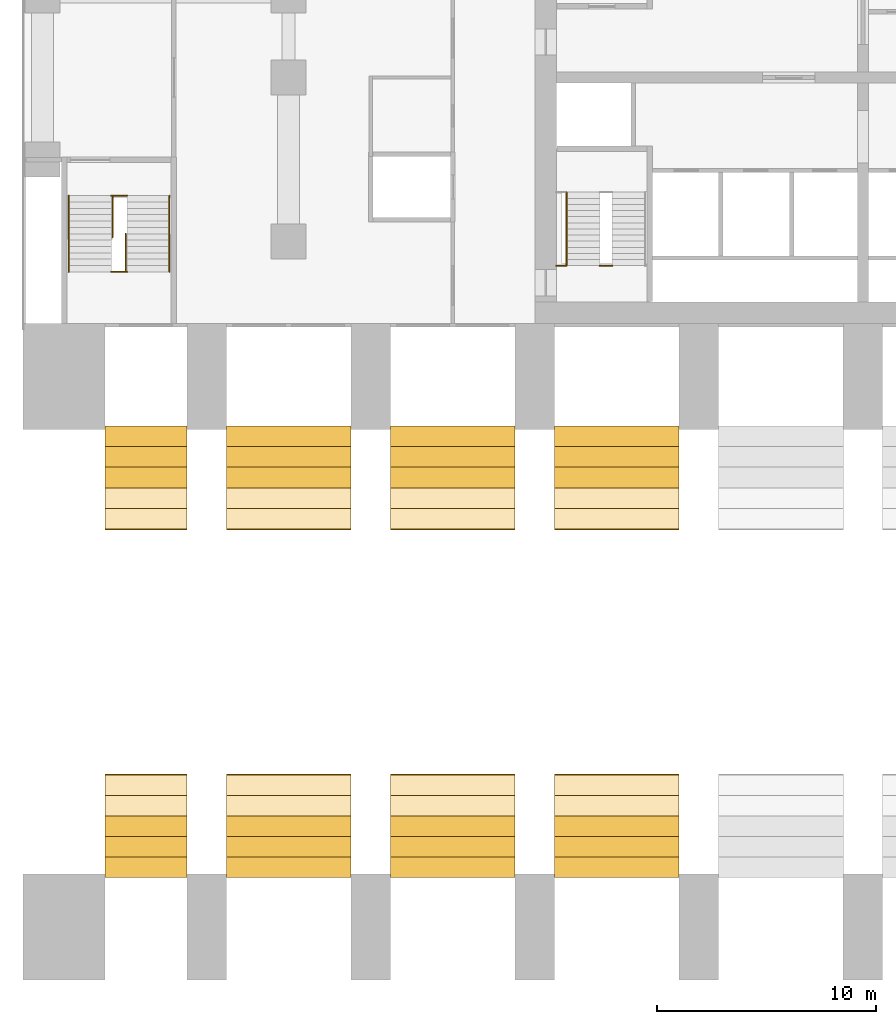
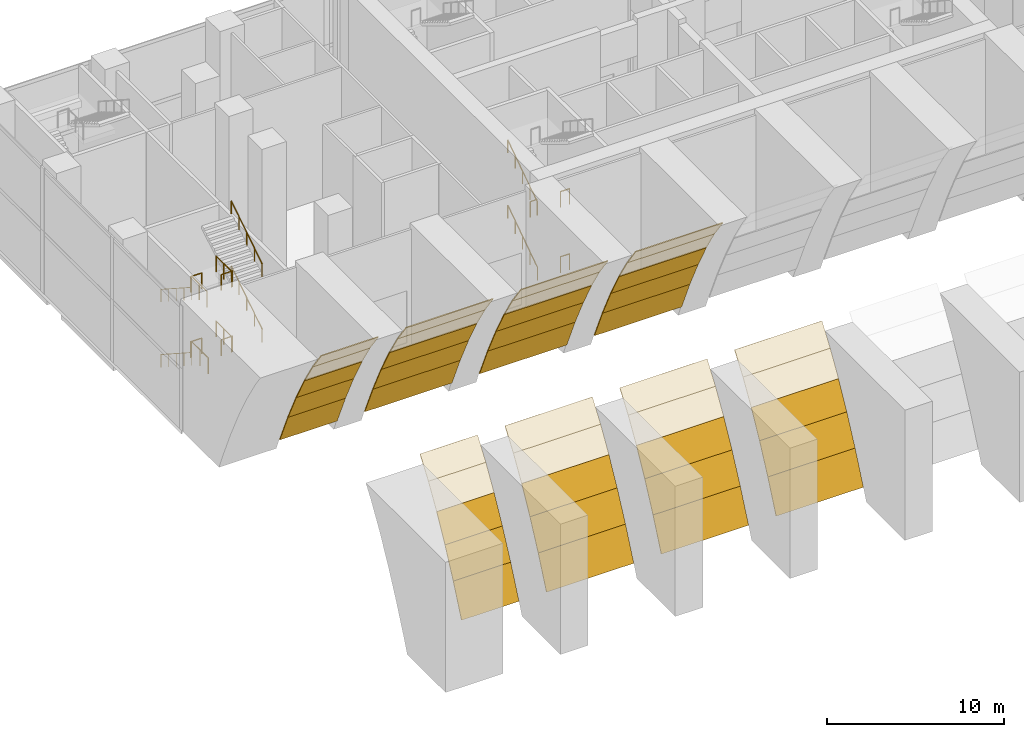
# One storey, part 11 of 14: 40 coverings, 17 railings.
"""IFC4 building model written with IfcOpenShell, lengths in metres."""

import ifcopenshell
import ifcopenshell.guid

model = None  # the IFC model being written
_history = None  # IfcOwnerHistory: only IFC2X3 demands one
_inside = {}  # id of a spatial element -> (the spatial element, [elements in it])
_under = {}  # id of a project, library or spatial element -> (it, [spatial elements below it])
_declared = {}  # id of a project -> (the project, [libraries it declares])
_typed = {}  # id of a type object -> (the type object, [elements of that type])
_made_of = {}  # id of a material, layer set ... -> (it, [elements and type objects made of it])


def new_model(schema):
    """Start an empty IFC model of exactly this schema.

    Asked for "IFC4X3", IfcOpenShell would pick the latest addendum, in which some entities
    have other attributes; the version numbers below select the first issue.
    IFC2X3 requires an IfcOwnerHistory on every rooted entity: one is made here for all.
    """
    global model, _history
    if schema == "IFC4X3":
        model = ifcopenshell.file(schema_version=(4, 3, 0, 0))
    else:
        model = ifcopenshell.file(schema=schema)
    _inside.clear()
    _under.clear()
    _declared.clear()
    _typed.clear()
    _made_of.clear()
    _history = None
    if model.schema == "IFC2X3":
        org = make("IfcOrganization", Name="unknown")
        user = make(
            "IfcPersonAndOrganization",
            ThePerson=make("IfcPerson", FamilyName="unknown"),
            TheOrganization=org,
        )
        app = make(
            "IfcApplication",
            ApplicationDeveloper=org,
            Version="unknown",
            ApplicationFullName="unknown",
            ApplicationIdentifier="unknown",
        )
        _history = make(
            "IfcOwnerHistory",
            OwningUser=user,
            OwningApplication=app,
            ChangeAction="ADDED",
            CreationDate=0,
        )
    return model


def make(cls, **values):
    """One entity of the class cls with the attributes given. An attribute that is None is left unset."""
    return model.create_entity(
        cls, **{name: value for name, value in values.items() if value is not None}
    )


def rooted(cls, **values):
    """An entity with a GlobalId (a new one), such as an element, a storey or a relation."""
    return make(cls, GlobalId=ifcopenshell.guid.new(), OwnerHistory=_history, **values)


def si_unit(unit_type, name, prefix=None):
    """IfcSIUnit, for example si_unit("LENGTHUNIT", "METRE", prefix="MILLI")."""
    return make("IfcSIUnit", UnitType=unit_type, Prefix=prefix, Name=name)


def assignment(units):
    """IfcUnitAssignment: the units of a project."""
    return None if units is None else make("IfcUnitAssignment", Units=units)


def point(xyz):
    """IfcCartesianPoint."""
    return None if xyz is None else make("IfcCartesianPoint", Coordinates=xyz)


def direction(xyz):
    """IfcDirection."""
    return None if xyz is None else make("IfcDirection", DirectionRatios=xyz)


def frame(location, z_axis=None, x_axis=None):
    """IfcAxis2Placement3D, a coordinate frame: its origin and axes. An axis left out is left unset."""
    return make(
        "IfcAxis2Placement3D",
        Location=point(location),
        Axis=direction(z_axis),
        RefDirection=direction(x_axis),
    )


def frame_2d(location, x_axis=None):
    """IfcAxis2Placement2D, a coordinate frame in the plane: its origin and x axis."""
    return make(
        "IfcAxis2Placement2D", Location=point(location), RefDirection=direction(x_axis)
    )


def origin():
    """The frame at (0, 0, 0) with its axes left unset."""
    return frame((0.0, 0.0, 0.0))


def origin_2d():
    """The frame at (0, 0) in the plane with its x axis left unset."""
    return frame_2d((0.0, 0.0))


def place(relative_to, where):
    """IfcLocalPlacement: puts the frame where relative to a parent placement (None: the world)."""
    return make(
        "IfcLocalPlacement", PlacementRelTo=relative_to, RelativePlacement=where
    )


def context(
    kind, dimensions, precision=None, world=None, true_north=None, identifier=None
):
    """IfcGeometricRepresentationContext, for example the 3D "Model" context."""
    return make(
        "IfcGeometricRepresentationContext",
        ContextIdentifier=identifier,
        ContextType=kind,
        CoordinateSpaceDimension=dimensions,
        Precision=precision,
        WorldCoordinateSystem=world,
        TrueNorth=true_north,
    )


def subcontext(parent, identifier, kind, view, scale=None):
    """IfcGeometricRepresentationSubContext, for example "Body" below "Model"."""
    return make(
        "IfcGeometricRepresentationSubContext",
        ContextIdentifier=identifier,
        ContextType=kind,
        ParentContext=parent,
        TargetScale=scale,
        TargetView=view,
    )


def project(units=None, contexts=None):
    """IfcProject with its units and contexts."""
    return rooted(
        "IfcProject",
        Name="project",
        RepresentationContexts=contexts,
        UnitsInContext=assignment(units),
    )


def spatial(cls, under=None, at=None, **own):
    """A site, building, storey or space (cls), placed at a placement, below another one or the project."""
    s = rooted(cls, ObjectPlacement=at, **own)
    if under is not None:
        _under.setdefault(under.id(), (under, []))[1].append(s)
    return s


def polyline(points):
    """IfcPolyline through the points."""
    return make("IfcPolyline", Points=[point(p) for p in points])


def profile(cls, at=None, kind="AREA", **sizes):
    """A parametric profile (cls). Its sizes go by their IFC names, for example OverallWidth=200.0."""
    return make(cls, ProfileType=kind, Position=at, **sizes)


def circle(**sizes):
    """IfcCircleProfileDef."""
    return profile("IfcCircleProfileDef", **sizes)


def outline(outer, holes=None, kind="AREA"):
    """IfcArbitraryClosedProfileDef: a profile drawn as a closed curve; with holes, ...WithVoids."""
    if holes is None:
        return make("IfcArbitraryClosedProfileDef", ProfileType=kind, OuterCurve=outer)
    return make(
        "IfcArbitraryProfileDefWithVoids",
        ProfileType=kind,
        OuterCurve=outer,
        InnerCurves=holes,
    )


def extrude(swept, where, along, depth):
    """IfcExtrudedAreaSolid: the profile swept, set in the frame where, extruded along a direction by depth."""
    return make(
        "IfcExtrudedAreaSolid",
        SweptArea=swept,
        Position=where,
        ExtrudedDirection=direction(along),
        Depth=depth,
    )


def shape(context_of_items, identifier, shape_type, items):
    """IfcShapeRepresentation: the items that make up one representation, for example the "Body"."""
    return make(
        "IfcShapeRepresentation",
        ContextOfItems=context_of_items,
        RepresentationIdentifier=identifier,
        RepresentationType=shape_type,
        Items=items,
    )


def material(Name=None, Category=None):
    """IfcMaterial."""
    return make("IfcMaterial", Name=Name, Category=Category)


def layer(
    of_material, thickness, ventilated=None, Name=None, Category=None, Priority=None
):
    """IfcMaterialLayer: one layer of a wall or slab, of a material (None: an air gap)."""
    return make(
        "IfcMaterialLayer",
        Material=of_material,
        LayerThickness=thickness,
        IsVentilated=ventilated,
        Name=Name,
        Category=Category,
        Priority=Priority,
    )


def layer_set(layers, Name=None):
    """IfcMaterialLayerSet."""
    return make("IfcMaterialLayerSet", MaterialLayers=layers, LayerSetName=Name)


def made_of(thing, what):
    """Note that an element or type object is made of a material, layer set ...; save() writes the relation."""
    if what is not None:
        _made_of.setdefault(what.id(), (what, []))[1].append(thing)
    return thing


def type_object(cls, material=None, **own):
    """A type object (cls), such as IfcWallType, which elements share."""
    return made_of(rooted(cls, **own), material)


def element(
    cls,
    number,
    at=None,
    inside=None,
    cuts=None,
    type_object=None,
    material=None,
    context=None,
    identifier="Body",
    shape_type=None,
    held_by="IfcProductDefinitionShape",
    body=None,
    shapes=None,
    **own,
):
    """One element of the class cls, such as IfcWall. Its Tag is "e" and its number.

    at: its placement. inside: the storey or other place that contains it. cuts: it is an
    opening in that element (IfcRelVoidsElement). A single representation is given by context,
    identifier, shape_type and body (its items); several are given by shapes. held_by: the class
    of the entity that holds the representations. save() writes the other relations.
    """
    e = rooted(cls, Tag="e%d" % number, ObjectPlacement=at, **own)
    if body is not None:
        shapes = [shape(context, identifier, shape_type, body)]
    if shapes is not None:
        e.Representation = make(held_by, Representations=shapes)
    if inside is not None:
        _inside.setdefault(inside.id(), (inside, []))[1].append(e)
    if cuts is not None:
        rooted(
            "IfcRelVoidsElement", RelatingBuildingElement=cuts, RelatedOpeningElement=e
        )
    if type_object is not None:
        _typed.setdefault(type_object.id(), (type_object, []))[1].append(e)
    return made_of(e, material)


def aggregate(whole, parts):
    """IfcRelAggregates: a whole, such as a stair, and the parts it consists of."""
    return rooted("IfcRelAggregates", RelatingObject=whole, RelatedObjects=parts)


def save(model, path):
    """Write the relations noted so far, then the file.

    IfcRelAggregates (storeys below a building ...), IfcRelContainedInSpatialStructure (elements
    in a storey), IfcRelDefinesByType, IfcRelAssociatesMaterial and IfcRelDeclares: one each for
    every whole, place, type object, material and project.
    """
    for whole, parts in _under.values():
        aggregate(whole, parts)
    for where, things in _inside.values():
        rooted(
            "IfcRelContainedInSpatialStructure",
            RelatedElements=things,
            RelatingStructure=where,
        )
    for kind, things in _typed.values():
        rooted("IfcRelDefinesByType", RelatedObjects=things, RelatingType=kind)
    for what, things in _made_of.values():
        rooted("IfcRelAssociatesMaterial", RelatedObjects=things, RelatingMaterial=what)
    for by, libraries in _declared.values():
        rooted("IfcRelDeclares", RelatingContext=by, RelatedDefinitions=libraries)
    model.write(path)


model = new_model("IFC4")

# Units and contexts
model_context = context("Model", 3, precision=1e-05, world=origin(), true_north=direction((0.0, 1.0)))
body_context = subcontext(model_context, "Body", "Model", "MODEL_VIEW")
ifc_project = project(units=[si_unit("LENGTHUNIT", "METRE"), si_unit("AREAUNIT", "SQUARE_METRE"), si_unit("VOLUMEUNIT", "CUBIC_METRE"), si_unit("PLANEANGLEUNIT", "RADIAN"), si_unit("MASSUNIT", "GRAM", prefix="KILO")], contexts=[model_context])

# Site, building, storey
site_placement = place(None, origin())
site = spatial("IfcSite", under=ifc_project, at=site_placement, CompositionType="ELEMENT")
building_placement = place(site_placement, origin())
building = spatial("IfcBuilding", under=site, at=building_placement, Name="Pilkhan Gate Tower", CompositionType="ELEMENT")
storey_placement = place(building_placement, frame((0.0, 0.0, 7.5)))
storey = spatial("IfcBuildingStorey", under=building, at=storey_placement, Name="L01", CompositionType="ELEMENT", Elevation=7.5)

# Coverings
ifc_material_1 = material(Name="Concrete C40/50 precast", Category="concrete")
ifc_layer = layer(ifc_material_1, 0.06005859375)
ifc_layer_set = layer_set([ifc_layer], Name="Arch soffit panel ARC")
covering_type = type_object("IfcCoveringType", Name="Arch soffit panel ARC", PredefinedType="CLADDING", material=ifc_layer_set)
covering_1_placement = place(storey_placement, frame((40.35009765625, 45.9375, 0.83984375), z_axis=(0.0, -0.915717290087, 0.401823150946), x_axis=(1.0, 0.0, 0.0)))
element("IfcCovering", 1, at=covering_1_placement, inside=storey, type_object=covering_type, Name="Arch soffit panel ARC-1.2", PredefinedType="CLADDING", context=body_context, shape_type="SweptSolid", body=[
    extrude(outline(polyline([(0.0, 0.0), (3.75, 0.0), (3.75, 2.333115943647906), (0.0, 2.333115943647906), (0.0, 0.0)])), origin(), (0.0, 0.0, -1.0), 0.06005859375),
])
covering_2_placement = place(storey_placement, frame((40.35009765625, 46.875, 2.976318359375), z_axis=(0.0, -0.899770845006, 0.436362723519), x_axis=(1.0, 0.0, 0.0)))
element("IfcCovering", 2, at=covering_2_placement, inside=storey, type_object=covering_type, Name="Arch soffit panel ARC-1.3", PredefinedType="CLADDING", context=body_context, shape_type="SweptSolid", body=[
    extrude(outline(polyline([(0.0, 0.0), (3.75, 0.0), (3.75, 2.1484419944022592), (0.0, 2.1484419944022592), (0.0, 0.0)])), origin(), (0.0, 0.0, -1.0), 0.06005859375),
])
covering_3_placement = place(storey_placement, frame((40.35009765625, 47.8125, 4.909423828125), z_axis=(0.0, -0.879144666887, 0.476554986003), x_axis=(1.0, 0.0, 0.0)))
element("IfcCovering", 3, at=covering_3_placement, inside=storey, type_object=covering_type, Name="Arch soffit panel ARC-1.4", PredefinedType="CLADDING", context=body_context, shape_type="SweptSolid", body=[
    extrude(outline(polyline([(0.0, 0.0), (3.75, 0.0), (3.75, 1.967244132440998), (0.0, 1.967244132440998), (0.0, 0.0)])), origin(), (0.0, 0.0, -1.0), 0.06005859375),
])
covering_4_placement = place(storey_placement, frame((40.35009765625, 48.75, 6.638916015625), z_axis=(0.0, -0.852069906961, 0.523428002357), x_axis=(1.0, 0.0, 0.0)))
element("IfcCovering", 4, at=covering_4_placement, inside=storey, type_object=covering_type, Name="Arch soffit panel ARC-1.5", PredefinedType="CLADDING", context=body_context, shape_type="SweptSolid", body=[
    extrude(outline(polyline([(0.0, 0.0), (3.75, 0.0), (3.75, 1.7910772747715364), (0.0, 1.7910772747715364), (0.0, 0.0)])), origin(), (0.0, 0.0, -1.0), 0.06005859375),
])
for number, where, z_axis, x_axis, name in (
    (5, (40.35009765625, 49.6875, 8.1650390625), (0.0, -0.81581427996, 0.578313980994), (1.0, 0.0, 0.0), "Arch soffit panel ARC-1.6"),
    (6, (40.35009765625, 61.875, 9.487548828125), (0.0, 0.81581427996, 0.578313980994), (1.0, 0.0, 0.0), "Arch soffit panel ARC-1.19"),
):
    element("IfcCovering", number, at=place(storey_placement, frame(where, z_axis=z_axis, x_axis=x_axis)), inside=storey, type_object=covering_type, Name=name, PredefinedType="CLADDING", context=body_context, shape_type="SweptSolid", body=[
        extrude(outline(polyline([(0.0, 0.0), (3.75, 0.0), (3.75, 1.6210917093654795), (0.0, 1.6210917093654795), (0.0, 0.0)])), origin(), (0.0, 0.0, -1.0), 0.06005859375),
    ])
covering_5_placement = place(storey_placement, frame((40.35009765625, 62.8125, 8.1650390625), z_axis=(0.0, 0.852069906961, 0.523428002357), x_axis=(1.0, 0.0, 0.0)))
element("IfcCovering", 7, at=covering_5_placement, inside=storey, type_object=covering_type, Name="Arch soffit panel ARC-1.20", PredefinedType="CLADDING", context=body_context, shape_type="SweptSolid", body=[
    extrude(outline(polyline([(0.0, 0.0), (3.75, 0.0), (3.75, 1.7910772747715364), (0.0, 1.7910772747715364), (0.0, 0.0)])), origin(), (0.0, 0.0, -1.0), 0.06005859375),
])
covering_6_placement = place(storey_placement, frame((40.35009765625, 63.75, 6.638916015625), z_axis=(0.0, 0.879144666887, 0.476554986003), x_axis=(1.0, 0.0, 0.0)))
element("IfcCovering", 8, at=covering_6_placement, inside=storey, type_object=covering_type, Name="Arch soffit panel ARC-1.21", PredefinedType="CLADDING", context=body_context, shape_type="SweptSolid", body=[
    extrude(outline(polyline([(0.0, 0.0), (3.75, 0.0), (3.75, 1.967244132440998), (0.0, 1.967244132440998), (0.0, 0.0)])), origin(), (0.0, 0.0, -1.0), 0.06005859375),
])
covering_7_placement = place(storey_placement, frame((40.35009765625, 64.6875, 4.909423828125), z_axis=(0.0, 0.899770845006, 0.436362723519), x_axis=(1.0, 0.0, 0.0)))
element("IfcCovering", 9, at=covering_7_placement, inside=storey, type_object=covering_type, Name="Arch soffit panel ARC-1.22", PredefinedType="CLADDING", context=body_context, shape_type="SweptSolid", body=[
    extrude(outline(polyline([(0.0, 0.0), (3.75, 0.0), (3.75, 2.1484419944022592), (0.0, 2.1484419944022592), (0.0, 0.0)])), origin(), (0.0, 0.0, -1.0), 0.06005859375),
])
covering_8_placement = place(storey_placement, frame((40.35009765625, 65.625, 2.976318359375), z_axis=(0.0, 0.915717290087, 0.401823150946), x_axis=(1.0, 0.0, 0.0)))
element("IfcCovering", 10, at=covering_8_placement, inside=storey, type_object=covering_type, Name="Arch soffit panel ARC-1.23", PredefinedType="CLADDING", context=body_context, shape_type="SweptSolid", body=[
    extrude(outline(polyline([(0.0, 0.0), (3.75, 0.0), (3.75, 2.333115943647906), (0.0, 2.333115943647906), (0.0, 0.0)])), origin(), (0.0, 0.0, -1.0), 0.06005859375),
])
covering_9_placement = place(storey_placement, frame((45.89990234375, 45.9375, 0.83984375), z_axis=(0.0, -0.915717290087, 0.401823150946), x_axis=(1.0, 0.0, 0.0)))
element("IfcCovering", 11, at=covering_9_placement, inside=storey, type_object=covering_type, Name="Arch soffit panel ARC-2.2", PredefinedType="CLADDING", context=body_context, shape_type="SweptSolid", body=[
    extrude(outline(polyline([(0.0, 0.0), (5.7001953125, 0.0), (5.7001953125, 2.333115943647906), (0.0, 2.333115943647906), (0.0, 0.0)])), origin(), (0.0, 0.0, -1.0), 0.06005859375),
])
covering_10_placement = place(storey_placement, frame((45.89990234375, 46.875, 2.976318359375), z_axis=(0.0, -0.899770845006, 0.436362723519), x_axis=(1.0, 0.0, 0.0)))
element("IfcCovering", 12, at=covering_10_placement, inside=storey, type_object=covering_type, Name="Arch soffit panel ARC-2.3", PredefinedType="CLADDING", context=body_context, shape_type="SweptSolid", body=[
    extrude(outline(polyline([(0.0, 0.0), (5.7001953125, 0.0), (5.7001953125, 2.1484419944022592), (0.0, 2.1484419944022592), (0.0, 0.0)])), origin(), (0.0, 0.0, -1.0), 0.06005859375),
])
covering_11_placement = place(storey_placement, frame((45.89990234375, 47.8125, 4.909423828125), z_axis=(0.0, -0.879144666887, 0.476554986003), x_axis=(1.0, 0.0, 0.0)))
element("IfcCovering", 13, at=covering_11_placement, inside=storey, type_object=covering_type, Name="Arch soffit panel ARC-2.4", PredefinedType="CLADDING", context=body_context, shape_type="SweptSolid", body=[
    extrude(outline(polyline([(0.0, 0.0), (5.7001953125, 0.0), (5.7001953125, 1.967244132440998), (0.0, 1.967244132440998), (0.0, 0.0)])), origin(), (0.0, 0.0, -1.0), 0.06005859375),
])
covering_12_placement = place(storey_placement, frame((45.89990234375, 48.75, 6.638916015625), z_axis=(0.0, -0.852069906961, 0.523428002357), x_axis=(1.0, 0.0, 0.0)))
element("IfcCovering", 14, at=covering_12_placement, inside=storey, type_object=covering_type, Name="Arch soffit panel ARC-2.5", PredefinedType="CLADDING", context=body_context, shape_type="SweptSolid", body=[
    extrude(outline(polyline([(0.0, 0.0), (5.7001953125, 0.0), (5.7001953125, 1.7910772747715364), (0.0, 1.7910772747715364), (0.0, 0.0)])), origin(), (0.0, 0.0, -1.0), 0.06005859375),
])
for number, where, z_axis, x_axis, name in (
    (15, (45.89990234375, 49.6875, 8.1650390625), (0.0, -0.81581427996, 0.578313980994), (1.0, 0.0, 0.0), "Arch soffit panel ARC-2.6"),
    (16, (45.89990234375, 61.875, 9.487548828125), (0.0, 0.81581427996, 0.578313980994), (1.0, 0.0, 0.0), "Arch soffit panel ARC-2.19"),
):
    element("IfcCovering", number, at=place(storey_placement, frame(where, z_axis=z_axis, x_axis=x_axis)), inside=storey, type_object=covering_type, Name=name, PredefinedType="CLADDING", context=body_context, shape_type="SweptSolid", body=[
        extrude(outline(polyline([(0.0, 0.0), (5.7001953125, 0.0), (5.7001953125, 1.6210917093654795), (0.0, 1.6210917093654795), (0.0, 0.0)])), origin(), (0.0, 0.0, -1.0), 0.06005859375),
    ])
covering_13_placement = place(storey_placement, frame((45.89990234375, 62.8125, 8.1650390625), z_axis=(0.0, 0.852069906961, 0.523428002357), x_axis=(1.0, 0.0, 0.0)))
element("IfcCovering", 17, at=covering_13_placement, inside=storey, type_object=covering_type, Name="Arch soffit panel ARC-2.20", PredefinedType="CLADDING", context=body_context, shape_type="SweptSolid", body=[
    extrude(outline(polyline([(0.0, 0.0), (5.7001953125, 0.0), (5.7001953125, 1.7910772747715364), (0.0, 1.7910772747715364), (0.0, 0.0)])), origin(), (0.0, 0.0, -1.0), 0.06005859375),
])
covering_14_placement = place(storey_placement, frame((45.89990234375, 63.75, 6.638916015625), z_axis=(0.0, 0.879144666887, 0.476554986003), x_axis=(1.0, 0.0, 0.0)))
element("IfcCovering", 18, at=covering_14_placement, inside=storey, type_object=covering_type, Name="Arch soffit panel ARC-2.21", PredefinedType="CLADDING", context=body_context, shape_type="SweptSolid", body=[
    extrude(outline(polyline([(0.0, 0.0), (5.7001953125, 0.0), (5.7001953125, 1.967244132440998), (0.0, 1.967244132440998), (0.0, 0.0)])), origin(), (0.0, 0.0, -1.0), 0.06005859375),
])
covering_15_placement = place(storey_placement, frame((45.89990234375, 64.6875, 4.909423828125), z_axis=(0.0, 0.899770845006, 0.436362723519), x_axis=(1.0, 0.0, 0.0)))
element("IfcCovering", 19, at=covering_15_placement, inside=storey, type_object=covering_type, Name="Arch soffit panel ARC-2.22", PredefinedType="CLADDING", context=body_context, shape_type="SweptSolid", body=[
    extrude(outline(polyline([(0.0, 0.0), (5.7001953125, 0.0), (5.7001953125, 2.1484419944022592), (0.0, 2.1484419944022592), (0.0, 0.0)])), origin(), (0.0, 0.0, -1.0), 0.06005859375),
])
for number, where, z_axis, x_axis, name in (
    (20, (45.89990234375, 65.625, 2.976318359375), (0.0, 0.915717290087, 0.401823150946), (1.0, 0.0, 0.0), "Arch soffit panel ARC-2.23"),
    (21, (53.39990234375, 45.9375, 0.83984375), (0.0, -0.915717290087, 0.401823150946), (1.0, 0.0, 0.0), "Arch soffit panel ARC-3.2"),
):
    element("IfcCovering", number, at=place(storey_placement, frame(where, z_axis=z_axis, x_axis=x_axis)), inside=storey, type_object=covering_type, Name=name, PredefinedType="CLADDING", context=body_context, shape_type="SweptSolid", body=[
        extrude(outline(polyline([(0.0, 0.0), (5.7001953125, 0.0), (5.7001953125, 2.333115943647906), (0.0, 2.333115943647906), (0.0, 0.0)])), origin(), (0.0, 0.0, -1.0), 0.06005859375),
    ])
covering_16_placement = place(storey_placement, frame((53.39990234375, 46.875, 2.976318359375), z_axis=(0.0, -0.899770845006, 0.436362723519), x_axis=(1.0, 0.0, 0.0)))
element("IfcCovering", 22, at=covering_16_placement, inside=storey, type_object=covering_type, Name="Arch soffit panel ARC-3.3", PredefinedType="CLADDING", context=body_context, shape_type="SweptSolid", body=[
    extrude(outline(polyline([(0.0, 0.0), (5.7001953125, 0.0), (5.7001953125, 2.1484419944022592), (0.0, 2.1484419944022592), (0.0, 0.0)])), origin(), (0.0, 0.0, -1.0), 0.06005859375),
])
covering_17_placement = place(storey_placement, frame((53.39990234375, 47.8125, 4.909423828125), z_axis=(0.0, -0.879144666887, 0.476554986003), x_axis=(1.0, 0.0, 0.0)))
element("IfcCovering", 23, at=covering_17_placement, inside=storey, type_object=covering_type, Name="Arch soffit panel ARC-3.4", PredefinedType="CLADDING", context=body_context, shape_type="SweptSolid", body=[
    extrude(outline(polyline([(0.0, 0.0), (5.7001953125, 0.0), (5.7001953125, 1.967244132440998), (0.0, 1.967244132440998), (0.0, 0.0)])), origin(), (0.0, 0.0, -1.0), 0.06005859375),
])
covering_18_placement = place(storey_placement, frame((53.39990234375, 48.75, 6.638916015625), z_axis=(0.0, -0.852069906961, 0.523428002357), x_axis=(1.0, 0.0, 0.0)))
element("IfcCovering", 24, at=covering_18_placement, inside=storey, type_object=covering_type, Name="Arch soffit panel ARC-3.5", PredefinedType="CLADDING", context=body_context, shape_type="SweptSolid", body=[
    extrude(outline(polyline([(0.0, 0.0), (5.7001953125, 0.0), (5.7001953125, 1.7910772747715364), (0.0, 1.7910772747715364), (0.0, 0.0)])), origin(), (0.0, 0.0, -1.0), 0.06005859375),
])
for number, where, z_axis, x_axis, name in (
    (25, (53.39990234375, 49.6875, 8.1650390625), (0.0, -0.81581427996, 0.578313980994), (1.0, 0.0, 0.0), "Arch soffit panel ARC-3.6"),
    (26, (53.39990234375, 61.875, 9.487548828125), (0.0, 0.81581427996, 0.578313980994), (1.0, 0.0, 0.0), "Arch soffit panel ARC-3.19"),
):
    element("IfcCovering", number, at=place(storey_placement, frame(where, z_axis=z_axis, x_axis=x_axis)), inside=storey, type_object=covering_type, Name=name, PredefinedType="CLADDING", context=body_context, shape_type="SweptSolid", body=[
        extrude(outline(polyline([(0.0, 0.0), (5.7001953125, 0.0), (5.7001953125, 1.6210917093654795), (0.0, 1.6210917093654795), (0.0, 0.0)])), origin(), (0.0, 0.0, -1.0), 0.06005859375),
    ])
covering_19_placement = place(storey_placement, frame((53.39990234375, 62.8125, 8.1650390625), z_axis=(0.0, 0.852069906961, 0.523428002357), x_axis=(1.0, 0.0, 0.0)))
element("IfcCovering", 27, at=covering_19_placement, inside=storey, type_object=covering_type, Name="Arch soffit panel ARC-3.20", PredefinedType="CLADDING", context=body_context, shape_type="SweptSolid", body=[
    extrude(outline(polyline([(0.0, 0.0), (5.7001953125, 0.0), (5.7001953125, 1.7910772747715364), (0.0, 1.7910772747715364), (0.0, 0.0)])), origin(), (0.0, 0.0, -1.0), 0.06005859375),
])
covering_20_placement = place(storey_placement, frame((53.39990234375, 63.75, 6.638916015625), z_axis=(0.0, 0.879144666887, 0.476554986003), x_axis=(1.0, 0.0, 0.0)))
element("IfcCovering", 28, at=covering_20_placement, inside=storey, type_object=covering_type, Name="Arch soffit panel ARC-3.21", PredefinedType="CLADDING", context=body_context, shape_type="SweptSolid", body=[
    extrude(outline(polyline([(0.0, 0.0), (5.7001953125, 0.0), (5.7001953125, 1.967244132440998), (0.0, 1.967244132440998), (0.0, 0.0)])), origin(), (0.0, 0.0, -1.0), 0.06005859375),
])
covering_21_placement = place(storey_placement, frame((53.39990234375, 64.6875, 4.909423828125), z_axis=(0.0, 0.899770845006, 0.436362723519), x_axis=(1.0, 0.0, 0.0)))
element("IfcCovering", 29, at=covering_21_placement, inside=storey, type_object=covering_type, Name="Arch soffit panel ARC-3.22", PredefinedType="CLADDING", context=body_context, shape_type="SweptSolid", body=[
    extrude(outline(polyline([(0.0, 0.0), (5.7001953125, 0.0), (5.7001953125, 2.1484419944022592), (0.0, 2.1484419944022592), (0.0, 0.0)])), origin(), (0.0, 0.0, -1.0), 0.06005859375),
])
for number, where, z_axis, x_axis, name in (
    (30, (53.39990234375, 65.625, 2.976318359375), (0.0, 0.915717290087, 0.401823150946), (1.0, 0.0, 0.0), "Arch soffit panel ARC-3.23"),
    (31, (60.89990234375, 45.9375, 0.83984375), (0.0, -0.915717290087, 0.401823150946), (1.0, 0.0, 0.0), "Arch soffit panel ARC-4.2"),
):
    element("IfcCovering", number, at=place(storey_placement, frame(where, z_axis=z_axis, x_axis=x_axis)), inside=storey, type_object=covering_type, Name=name, PredefinedType="CLADDING", context=body_context, shape_type="SweptSolid", body=[
        extrude(outline(polyline([(0.0, 0.0), (5.7001953125, 0.0), (5.7001953125, 2.333115943647906), (0.0, 2.333115943647906), (0.0, 0.0)])), origin(), (0.0, 0.0, -1.0), 0.06005859375),
    ])
covering_22_placement = place(storey_placement, frame((60.89990234375, 46.875, 2.976318359375), z_axis=(0.0, -0.899770845006, 0.436362723519), x_axis=(1.0, 0.0, 0.0)))
element("IfcCovering", 32, at=covering_22_placement, inside=storey, type_object=covering_type, Name="Arch soffit panel ARC-4.3", PredefinedType="CLADDING", context=body_context, shape_type="SweptSolid", body=[
    extrude(outline(polyline([(0.0, 0.0), (5.7001953125, 0.0), (5.7001953125, 2.1484419944022592), (0.0, 2.1484419944022592), (0.0, 0.0)])), origin(), (0.0, 0.0, -1.0), 0.06005859375),
])
covering_23_placement = place(storey_placement, frame((60.89990234375, 47.8125, 4.909423828125), z_axis=(0.0, -0.879144666887, 0.476554986003), x_axis=(1.0, 0.0, 0.0)))
element("IfcCovering", 33, at=covering_23_placement, inside=storey, type_object=covering_type, Name="Arch soffit panel ARC-4.4", PredefinedType="CLADDING", context=body_context, shape_type="SweptSolid", body=[
    extrude(outline(polyline([(0.0, 0.0), (5.7001953125, 0.0), (5.7001953125, 1.967244132440998), (0.0, 1.967244132440998), (0.0, 0.0)])), origin(), (0.0, 0.0, -1.0), 0.06005859375),
])
covering_24_placement = place(storey_placement, frame((60.89990234375, 48.75, 6.638916015625), z_axis=(0.0, -0.852069906961, 0.523428002357), x_axis=(1.0, 0.0, 0.0)))
element("IfcCovering", 34, at=covering_24_placement, inside=storey, type_object=covering_type, Name="Arch soffit panel ARC-4.5", PredefinedType="CLADDING", context=body_context, shape_type="SweptSolid", body=[
    extrude(outline(polyline([(0.0, 0.0), (5.7001953125, 0.0), (5.7001953125, 1.7910772747715364), (0.0, 1.7910772747715364), (0.0, 0.0)])), origin(), (0.0, 0.0, -1.0), 0.06005859375),
])
for number, where, z_axis, x_axis, name in (
    (35, (60.89990234375, 49.6875, 8.1650390625), (0.0, -0.81581427996, 0.578313980994), (1.0, 0.0, 0.0), "Arch soffit panel ARC-4.6"),
    (36, (60.89990234375, 61.875, 9.487548828125), (0.0, 0.81581427996, 0.578313980994), (1.0, 0.0, 0.0), "Arch soffit panel ARC-4.19"),
):
    element("IfcCovering", number, at=place(storey_placement, frame(where, z_axis=z_axis, x_axis=x_axis)), inside=storey, type_object=covering_type, Name=name, PredefinedType="CLADDING", context=body_context, shape_type="SweptSolid", body=[
        extrude(outline(polyline([(0.0, 0.0), (5.7001953125, 0.0), (5.7001953125, 1.6210917093654795), (0.0, 1.6210917093654795), (0.0, 0.0)])), origin(), (0.0, 0.0, -1.0), 0.06005859375),
    ])
covering_25_placement = place(storey_placement, frame((60.89990234375, 62.8125, 8.1650390625), z_axis=(0.0, 0.852069906961, 0.523428002357), x_axis=(1.0, 0.0, 0.0)))
element("IfcCovering", 37, at=covering_25_placement, inside=storey, type_object=covering_type, Name="Arch soffit panel ARC-4.20", PredefinedType="CLADDING", context=body_context, shape_type="SweptSolid", body=[
    extrude(outline(polyline([(0.0, 0.0), (5.7001953125, 0.0), (5.7001953125, 1.7910772747715364), (0.0, 1.7910772747715364), (0.0, 0.0)])), origin(), (0.0, 0.0, -1.0), 0.06005859375),
])
covering_26_placement = place(storey_placement, frame((60.89990234375, 63.75, 6.638916015625), z_axis=(0.0, 0.879144666887, 0.476554986003), x_axis=(1.0, 0.0, 0.0)))
element("IfcCovering", 38, at=covering_26_placement, inside=storey, type_object=covering_type, Name="Arch soffit panel ARC-4.21", PredefinedType="CLADDING", context=body_context, shape_type="SweptSolid", body=[
    extrude(outline(polyline([(0.0, 0.0), (5.7001953125, 0.0), (5.7001953125, 1.967244132440998), (0.0, 1.967244132440998), (0.0, 0.0)])), origin(), (0.0, 0.0, -1.0), 0.06005859375),
])
covering_27_placement = place(storey_placement, frame((60.89990234375, 64.6875, 4.909423828125), z_axis=(0.0, 0.899770845006, 0.436362723519), x_axis=(1.0, 0.0, 0.0)))
element("IfcCovering", 39, at=covering_27_placement, inside=storey, type_object=covering_type, Name="Arch soffit panel ARC-4.22", PredefinedType="CLADDING", context=body_context, shape_type="SweptSolid", body=[
    extrude(outline(polyline([(0.0, 0.0), (5.7001953125, 0.0), (5.7001953125, 2.1484419944022592), (0.0, 2.1484419944022592), (0.0, 0.0)])), origin(), (0.0, 0.0, -1.0), 0.06005859375),
])
covering_28_placement = place(storey_placement, frame((60.89990234375, 65.625, 2.976318359375), z_axis=(0.0, 0.915717290087, 0.401823150946), x_axis=(1.0, 0.0, 0.0)))
element("IfcCovering", 40, at=covering_28_placement, inside=storey, type_object=covering_type, Name="Arch soffit panel ARC-4.23", PredefinedType="CLADDING", context=body_context, shape_type="SweptSolid", body=[
    extrude(outline(polyline([(0.0, 0.0), (5.7001953125, 0.0), (5.7001953125, 2.333115943647906), (0.0, 2.333115943647906), (0.0, 0.0)])), origin(), (0.0, 0.0, -1.0), 0.06005859375),
])

# Railings
ifc_material_2 = material(Name="Black powder-coated steel tube", Category="steel")
railing_type_1 = type_object("IfcRailingType", Name="Stair handrail HR1", PredefinedType="HANDRAIL", material=ifc_material_2)
for number, where, name in (
    (41, (61.449951171875, 73.89990234375, 0.0), "Stair ST2 handrail L01"),
    (42, (61.449951171875, 73.89990234375, 4.5), "Stair ST2 handrail L01"),
):
    element("IfcRailing", number, at=place(storey_placement, frame(where)), inside=storey, type_object=railing_type_1, Name=name, PredefinedType="HANDRAIL", context=body_context, shape_type="SweptSolid", body=[
        extrude(circle(Radius=0.02392578125, at=origin_2d()), frame((0.0, 0.0, 0.8759765625), z_axis=(0.0, 0.830915400975, 0.556398774641), x_axis=(-1.0, 0.0, 0.0)), (0.0, 0.0, 1.0), 4.0439453125),
        extrude(circle(Radius=0.02099609375, at=origin_2d()), origin(), (0.0, 0.0, 1.0), 0.851806640625),
        extrude(circle(Radius=0.02099609375, at=origin_2d()), frame((0.0, 0.840087890625, 0.5625)), (0.0, 0.0, 1.0), 0.851806640625),
        extrude(circle(Radius=0.02099609375, at=origin_2d()), frame((0.0, 1.68017578125, 1.125)), (0.0, 0.0, 1.0), 0.851806640625),
        extrude(circle(Radius=0.02099609375, at=origin_2d()), frame((0.0, 2.52001953125, 1.6875)), (0.0, 0.0, 1.0), 0.851806640625),
        extrude(circle(Radius=0.02099609375, at=origin_2d()), frame((0.0, 3.360107421875, 2.25)), (0.0, 0.0, 1.0), 0.851806640625),
    ])
railing_1_placement = place(storey_placement, frame((38.699951171875, 77.10009765625, 0.0)))
element("IfcRailing", 43, at=railing_1_placement, inside=storey, type_object=railing_type_1, Name="Stair PS3 handrail L01", PredefinedType="HANDRAIL", context=body_context, shape_type="SweptSolid", body=[
    extrude(circle(Radius=0.02392578125, at=origin_2d()), frame((0.0, 0.0, 0.8759765625), z_axis=(0.0, -0.839762940478, 0.542953224319), x_axis=(1.0, 0.0, 0.0)), (0.0, 0.0, 1.0), 4.14404296875),
    extrude(circle(Radius=0.02099609375, at=origin_2d()), origin(), (0.0, 0.0, 1.0), 0.851806640625),
    extrude(circle(Radius=0.02099609375, at=origin_2d()), frame((0.0, -0.8701171875, 0.5625)), (0.0, 0.0, 1.0), 0.851806640625),
    extrude(circle(Radius=0.02099609375, at=origin_2d()), frame((0.0, -1.739990234375, 1.125)), (0.0, 0.0, 1.0), 0.851806640625),
    extrude(circle(Radius=0.02099609375, at=origin_2d()), frame((0.0, -2.60986328125, 1.6875)), (0.0, 0.0, 1.0), 0.851806640625),
    extrude(circle(Radius=0.02099609375, at=origin_2d()), frame((0.0, -3.47998046875, 2.25)), (0.0, 0.0, 1.0), 0.851806640625),
])
railing_2_placement = place(storey_placement, frame((43.300048828125, 73.6201171875, 2.25)))
element("IfcRailing", 44, at=railing_2_placement, inside=storey, type_object=railing_type_1, Name="Stair PS3 handrail L01", PredefinedType="HANDRAIL", context=body_context, shape_type="SweptSolid", body=[
    extrude(circle(Radius=0.02392578125, at=origin_2d()), frame((0.0, 0.0, 0.8759765625), z_axis=(0.0, 0.839762940478, 0.542953224319), x_axis=(-1.0, 0.0, 0.0)), (0.0, 0.0, 1.0), 4.14404296875),
    extrude(circle(Radius=0.02099609375, at=origin_2d()), origin(), (0.0, 0.0, 1.0), 0.851806640625),
    extrude(circle(Radius=0.02099609375, at=origin_2d()), frame((0.0, 0.8701171875, 0.5625)), (0.0, 0.0, 1.0), 0.851806640625),
    extrude(circle(Radius=0.02099609375, at=origin_2d()), frame((0.0, 1.739990234375, 1.125)), (0.0, 0.0, 1.0), 0.851806640625),
    extrude(circle(Radius=0.02099609375, at=origin_2d()), frame((0.0, 2.60986328125, 1.6875)), (0.0, 0.0, 1.0), 0.851806640625),
    extrude(circle(Radius=0.02099609375, at=origin_2d()), frame((0.0, 3.47998046875, 2.25)), (0.0, 0.0, 1.0), 0.851806640625),
])
railing_3_placement = place(storey_placement, frame((38.699951171875, 77.10009765625, 4.5)))
element("IfcRailing", 45, at=railing_3_placement, inside=storey, type_object=railing_type_1, Name="Stair PS3 handrail L01", PredefinedType="HANDRAIL", context=body_context, shape_type="SweptSolid", body=[
    extrude(circle(Radius=0.02392578125, at=origin_2d()), frame((0.0, 0.0, 0.8759765625), z_axis=(0.0, -0.839762940478, 0.542953224319), x_axis=(1.0, 0.0, 0.0)), (0.0, 0.0, 1.0), 4.14404296875),
    extrude(circle(Radius=0.02099609375, at=origin_2d()), origin(), (0.0, 0.0, 1.0), 0.851806640625),
    extrude(circle(Radius=0.02099609375, at=origin_2d()), frame((0.0, -0.8701171875, 0.5625)), (0.0, 0.0, 1.0), 0.851806640625),
    extrude(circle(Radius=0.02099609375, at=origin_2d()), frame((0.0, -1.739990234375, 1.125)), (0.0, 0.0, 1.0), 0.851806640625),
    extrude(circle(Radius=0.02099609375, at=origin_2d()), frame((0.0, -2.60986328125, 1.6875)), (0.0, 0.0, 1.0), 0.851806640625),
    extrude(circle(Radius=0.02099609375, at=origin_2d()), frame((0.0, -3.47998046875, 2.25)), (0.0, 0.0, 1.0), 0.851806640625),
])
railing_4_placement = place(storey_placement, frame((43.300048828125, 73.6201171875, 6.75)))
element("IfcRailing", 46, at=railing_4_placement, inside=storey, type_object=railing_type_1, Name="Stair PS3 handrail L01", PredefinedType="HANDRAIL", context=body_context, shape_type="SweptSolid", body=[
    extrude(circle(Radius=0.02392578125, at=origin_2d()), frame((0.0, 0.0, 0.8759765625), z_axis=(0.0, 0.839762940478, 0.542953224319), x_axis=(-1.0, 0.0, 0.0)), (0.0, 0.0, 1.0), 4.14404296875),
    extrude(circle(Radius=0.02099609375, at=origin_2d()), origin(), (0.0, 0.0, 1.0), 0.851806640625),
    extrude(circle(Radius=0.02099609375, at=origin_2d()), frame((0.0, 0.8701171875, 0.5625)), (0.0, 0.0, 1.0), 0.851806640625),
    extrude(circle(Radius=0.02099609375, at=origin_2d()), frame((0.0, 1.739990234375, 1.125)), (0.0, 0.0, 1.0), 0.851806640625),
    extrude(circle(Radius=0.02099609375, at=origin_2d()), frame((0.0, 2.60986328125, 1.6875)), (0.0, 0.0, 1.0), 0.851806640625),
    extrude(circle(Radius=0.02099609375, at=origin_2d()), frame((0.0, 3.47998046875, 2.25)), (0.0, 0.0, 1.0), 0.851806640625),
])
ifc_material_3 = material(Name="Black powder-coated steel balusters", Category="steel")
railing_type_2 = type_object("IfcRailingType", Name="Stair well guard G3", PredefinedType="GUARDRAIL", material=ifc_material_3)
railing_5_placement = place(storey_placement, frame((60.97998046875, 73.89990234375, 4.5)))
element("IfcRailing", 47, at=railing_5_placement, inside=storey, type_object=railing_type_2, Name="Stair ST2 well guard L01", PredefinedType="GUARDRAIL", context=body_context, shape_type="SweptSolid", body=[
    extrude(circle(Radius=0.02392578125, at=origin_2d()), frame((0.0, 0.0, 1.076171875), z_axis=(1.0, 0.0, 0.0), x_axis=(0.0, 1.0, 0.0)), (0.0, 0.0, 1.0), 0.43994140625),
    extrude(circle(Radius=0.02099609375, at=origin_2d()), origin(), (0.0, 0.0, 1.0), 1.052001953125),
    extrude(circle(Radius=0.02099609375, at=origin_2d()), frame((0.43994140625, 0.0, 0.0)), (0.0, 0.0, 1.0), 1.052001953125),
])
for number, where, name in (
    (48, (62.9599609375, 73.89990234375, 0.0), "Stair ST2 well guard L01"),
    (49, (62.9599609375, 73.89990234375, 4.5), "Stair ST2 well guard L01"),
):
    element("IfcRailing", number, at=place(storey_placement, frame(where)), inside=storey, type_object=railing_type_2, Name=name, PredefinedType="GUARDRAIL", context=body_context, shape_type="SweptSolid", body=[
        extrude(circle(Radius=0.02392578125, at=origin_2d()), frame((0.0, 0.0, 1.076171875), z_axis=(1.0, 0.0, 0.0), x_axis=(0.0, 1.0, 0.0)), (0.0, 0.0, 1.0), 0.580078125),
        extrude(circle(Radius=0.02099609375, at=origin_2d()), origin(), (0.0, 0.0, 1.0), 1.052001953125),
        extrude(circle(Radius=0.02099609375, at=origin_2d()), frame((0.580078125, 0.0, 0.0)), (0.0, 0.0, 1.0), 1.052001953125),
    ])
railing_6_placement = place(storey_placement, frame((40.6298828125, 77.10009765625, 0.0)))
element("IfcRailing", 50, at=railing_6_placement, inside=storey, type_object=railing_type_2, Name="Stair PS3 well guard L01", PredefinedType="GUARDRAIL", context=body_context, shape_type="SweptSolid", body=[
    extrude(circle(Radius=0.02392578125, at=origin_2d()), frame((0.0, 0.0, 1.076171875), z_axis=(1.0, 0.0, 0.0), x_axis=(0.0, 1.0, 0.0)), (0.0, 0.0, 1.0), 0.740234375),
    extrude(circle(Radius=0.02099609375, at=origin_2d()), origin(), (0.0, 0.0, 1.0), 1.052001953125),
    extrude(circle(Radius=0.02099609375, at=origin_2d()), frame((0.740234375, 0.0, 0.0)), (0.0, 0.0, 1.0), 1.052001953125),
])
railing_7_placement = place(storey_placement, frame((40.699951171875, 77.10009765625, 0.0)))
element("IfcRailing", 51, at=railing_7_placement, inside=storey, type_object=railing_type_2, Name="Stair PS3 well guard L01", PredefinedType="GUARDRAIL", context=body_context, shape_type="SweptSolid", body=[
    extrude(circle(Radius=0.02392578125, at=origin_2d()), frame((0.0, 0.0, 1.076171875), z_axis=(0.0, -1.0, 0.0), x_axis=(1.0, 0.0, 0.0)), (0.0, 0.0, 1.0), 1.900146484375),
    extrude(circle(Radius=0.02099609375, at=origin_2d()), origin(), (0.0, 0.0, 1.0), 1.052001953125),
    extrude(circle(Radius=0.02099609375, at=origin_2d()), frame((0.0, -0.9501953125, 0.0)), (0.0, 0.0, 1.0), 1.052001953125),
    extrude(circle(Radius=0.02099609375, at=origin_2d()), frame((0.0, -1.900146484375, 0.0)), (0.0, 0.0, 1.0), 1.052001953125),
])
railing_8_placement = place(storey_placement, frame((40.6298828125, 73.6201171875, 2.25)))
element("IfcRailing", 52, at=railing_8_placement, inside=storey, type_object=railing_type_2, Name="Stair PS3 well guard L01", PredefinedType="GUARDRAIL", context=body_context, shape_type="SweptSolid", body=[
    extrude(circle(Radius=0.02392578125, at=origin_2d()), frame((0.0, 0.0, 1.076171875), z_axis=(1.0, 0.0, 0.0), x_axis=(0.0, 1.0, 0.0)), (0.0, 0.0, 1.0), 0.740234375),
    extrude(circle(Radius=0.02099609375, at=origin_2d()), origin(), (0.0, 0.0, 1.0), 1.052001953125),
    extrude(circle(Radius=0.02099609375, at=origin_2d()), frame((0.740234375, 0.0, 0.0)), (0.0, 0.0, 1.0), 1.052001953125),
])
railing_9_placement = place(storey_placement, frame((41.300048828125, 75.360107421875, 2.25)))
element("IfcRailing", 53, at=railing_9_placement, inside=storey, type_object=railing_type_2, Name="Stair PS3 well guard L01", PredefinedType="GUARDRAIL", context=body_context, shape_type="SweptSolid", body=[
    extrude(circle(Radius=0.02392578125, at=origin_2d()), frame((0.0, 0.0, 1.076171875), z_axis=(0.0, -1.0, 0.0), x_axis=(1.0, 0.0, 0.0)), (0.0, 0.0, 1.0), 1.739990234375),
    extrude(circle(Radius=0.02099609375, at=origin_2d()), origin(), (0.0, 0.0, 1.0), 1.052001953125),
    extrude(circle(Radius=0.02099609375, at=origin_2d()), frame((0.0, -0.8701171875, 0.0)), (0.0, 0.0, 1.0), 1.052001953125),
    extrude(circle(Radius=0.02099609375, at=origin_2d()), frame((0.0, -1.739990234375, 0.0)), (0.0, 0.0, 1.0), 1.052001953125),
])
railing_10_placement = place(storey_placement, frame((40.6298828125, 77.10009765625, 4.5)))
element("IfcRailing", 54, at=railing_10_placement, inside=storey, type_object=railing_type_2, Name="Stair PS3 well guard L01", PredefinedType="GUARDRAIL", context=body_context, shape_type="SweptSolid", body=[
    extrude(circle(Radius=0.02392578125, at=origin_2d()), frame((0.0, 0.0, 1.076171875), z_axis=(1.0, 0.0, 0.0), x_axis=(0.0, 1.0, 0.0)), (0.0, 0.0, 1.0), 0.740234375),
    extrude(circle(Radius=0.02099609375, at=origin_2d()), origin(), (0.0, 0.0, 1.0), 1.052001953125),
    extrude(circle(Radius=0.02099609375, at=origin_2d()), frame((0.740234375, 0.0, 0.0)), (0.0, 0.0, 1.0), 1.052001953125),
])
railing_11_placement = place(storey_placement, frame((40.699951171875, 77.10009765625, 4.5)))
element("IfcRailing", 55, at=railing_11_placement, inside=storey, type_object=railing_type_2, Name="Stair PS3 well guard L01", PredefinedType="GUARDRAIL", context=body_context, shape_type="SweptSolid", body=[
    extrude(circle(Radius=0.02392578125, at=origin_2d()), frame((0.0, 0.0, 1.076171875), z_axis=(0.0, -1.0, 0.0), x_axis=(1.0, 0.0, 0.0)), (0.0, 0.0, 1.0), 1.739990234375),
    extrude(circle(Radius=0.02099609375, at=origin_2d()), origin(), (0.0, 0.0, 1.0), 1.052001953125),
    extrude(circle(Radius=0.02099609375, at=origin_2d()), frame((0.0, -0.8701171875, 0.0)), (0.0, 0.0, 1.0), 1.052001953125),
    extrude(circle(Radius=0.02099609375, at=origin_2d()), frame((0.0, -1.739990234375, 0.0)), (0.0, 0.0, 1.0), 1.052001953125),
])
railing_12_placement = place(storey_placement, frame((40.6298828125, 73.6201171875, 6.75)))
element("IfcRailing", 56, at=railing_12_placement, inside=storey, type_object=railing_type_2, Name="Stair PS3 well guard L01", PredefinedType="GUARDRAIL", context=body_context, shape_type="SweptSolid", body=[
    extrude(circle(Radius=0.02392578125, at=origin_2d()), frame((0.0, 0.0, 1.076171875), z_axis=(1.0, 0.0, 0.0), x_axis=(0.0, 1.0, 0.0)), (0.0, 0.0, 1.0), 0.740234375),
    extrude(circle(Radius=0.02099609375, at=origin_2d()), origin(), (0.0, 0.0, 1.0), 1.052001953125),
    extrude(circle(Radius=0.02099609375, at=origin_2d()), frame((0.740234375, 0.0, 0.0)), (0.0, 0.0, 1.0), 1.052001953125),
])
railing_13_placement = place(storey_placement, frame((41.300048828125, 75.360107421875, 6.75)))
element("IfcRailing", 57, at=railing_13_placement, inside=storey, type_object=railing_type_2, Name="Stair PS3 well guard L01", PredefinedType="GUARDRAIL", context=body_context, shape_type="SweptSolid", body=[
    extrude(circle(Radius=0.02392578125, at=origin_2d()), frame((0.0, 0.0, 1.076171875), z_axis=(0.0, -1.0, 0.0), x_axis=(1.0, 0.0, 0.0)), (0.0, 0.0, 1.0), 1.739990234375),
    extrude(circle(Radius=0.02099609375, at=origin_2d()), origin(), (0.0, 0.0, 1.0), 1.052001953125),
    extrude(circle(Radius=0.02099609375, at=origin_2d()), frame((0.0, -0.8701171875, 0.0)), (0.0, 0.0, 1.0), 1.052001953125),
    extrude(circle(Radius=0.02099609375, at=origin_2d()), frame((0.0, -1.739990234375, 0.0)), (0.0, 0.0, 1.0), 1.052001953125),
])

save(model, "model.ifc")
